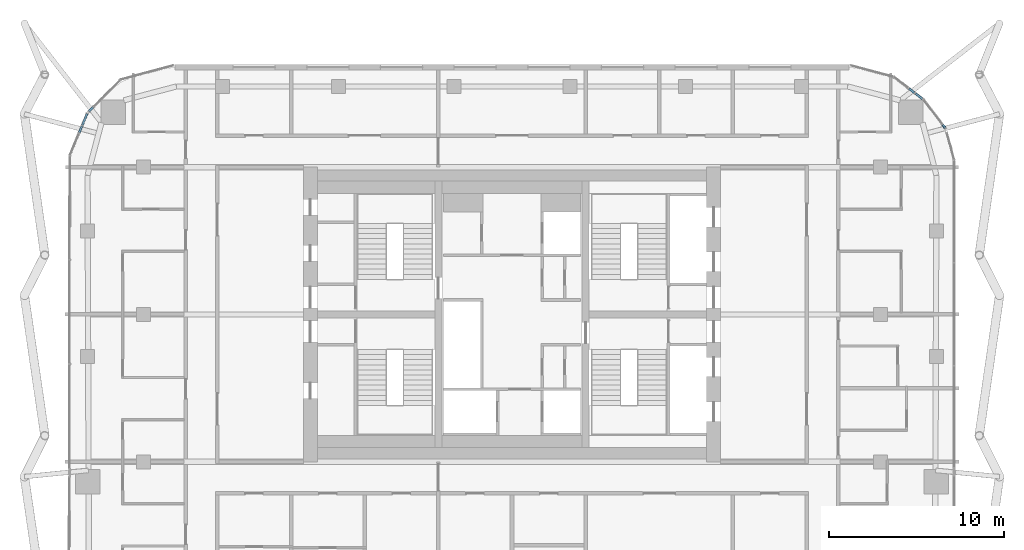
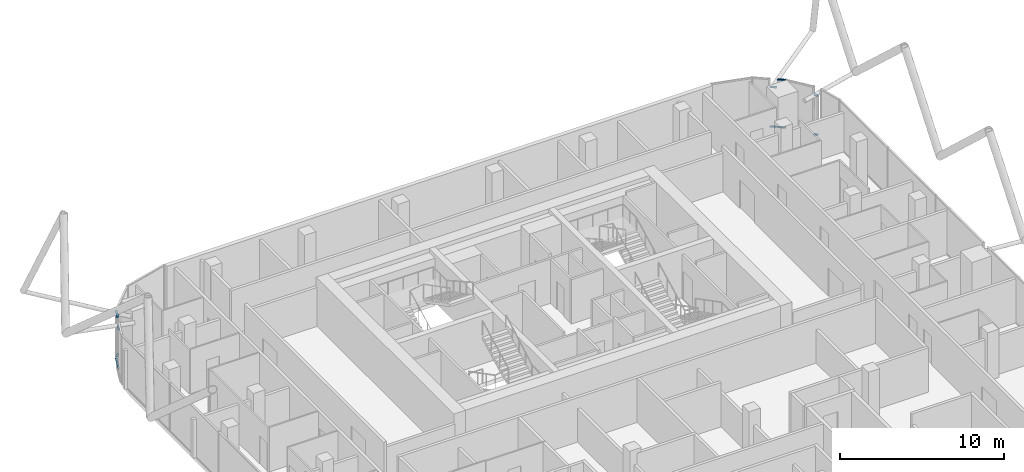
# One storey, part 15 of 33: 12 members, 6 elements without a shape of their own.
"""IFC4 building model written with IfcOpenShell, lengths in metres."""

from ifc_helpers import new_model, si_unit, direction, frame, origin, origin_2d, place, context, subcontext, project, spatial, rectangle, extrude, material, layer, layer_set, material_profile, profile_set, type_object, element, aggregate, save


model = new_model("IFC4")

# Units and contexts
model_context = context("Model", 3, precision=1e-05, world=origin(), true_north=direction((0.0, 1.0)))
body_context = subcontext(model_context, "Body", "Model", "MODEL_VIEW")
ifc_project = project(units=[si_unit("LENGTHUNIT", "METRE"), si_unit("AREAUNIT", "SQUARE_METRE"), si_unit("VOLUMEUNIT", "CUBIC_METRE"), si_unit("PLANEANGLEUNIT", "RADIAN"), si_unit("MASSUNIT", "GRAM", prefix="KILO")], contexts=[model_context])

# Site, building, storey
site_placement = place(None, origin())
site = spatial("IfcSite", under=ifc_project, at=site_placement, CompositionType="ELEMENT")
building_placement = place(site_placement, origin())
building = spatial("IfcBuilding", under=site, at=building_placement, Name="Marenta Gate Hotel Tower", CompositionType="ELEMENT")
storey_placement = place(building_placement, frame((0.0, 0.0, 248.89990234375)))
storey = spatial("IfcBuildingStorey", under=building, at=storey_placement, Name="L59", CompositionType="ELEMENT", Elevation=248.89990234375)

# Curtain wall, members
ifc_material_1 = material(Name="Tinted insulated glass in bronze anodised frame", Category="glass")
ifc_layer = layer(ifc_material_1, 0.1201171875)
ifc_layer_set = layer_set([ifc_layer], Name="Tinted insulated glass in bronze anodised frame")
curtain_wall_type = type_object("IfcCurtainWallType", Name="Tower unitised curtain wall CW1", PredefinedType="NOTDEFINED", material=ifc_layer_set)
curtain_wall_1_placement = place(storey_placement, origin())
curtain_wall_1 = element("IfcCurtainWall", 1, at=curtain_wall_1_placement, inside=storey, type_object=curtain_wall_type, Name="CW1 run G02", PredefinedType="NOTDEFINED")
ifc_material_2 = material(Name="Bronze anodised aluminium", Category="aluminium")
ifc_material_profile = material_profile(ifc_material_2, rectangle(XDim=0.1201171875, YDim=0.06005859375, at=origin_2d()), Name="Transom CW1 60x120 bronze anodised aluminium")
ifc_profile_set = profile_set([ifc_material_profile], Name="Bronze anodised aluminium")
member_type = type_object("IfcMemberType", Name="Transom CW1 60x120 bronze anodised aluminium", PredefinedType="USERDEFINED", material=ifc_profile_set)
member_1_placement = place(storey_placement, frame((-23.884521484375, 20.220458984375, 0.030029296875), z_axis=(-0.707106781187, -0.707106781187, 0.0), x_axis=(0.707106781187, -0.707106781187, 0.0)))
member_1 = element("IfcMember", 2, at=member_1_placement, type_object=member_type, Name="CW1 transom 1.1", ObjectType="TRANSOM", PredefinedType="USERDEFINED", context=body_context, shape_type="SweptSolid", body=[
    extrude(rectangle(XDim=0.1201171875, YDim=0.06005859375, at=origin_2d()), origin(), (0.0, 0.0, 1.0), 0.336669921875),
])
member_2_placement = place(storey_placement, frame((-23.884521484375, 20.220458984375, 2.970703125), z_axis=(-0.707106781187, -0.707106781187, 0.0), x_axis=(0.707106781187, -0.707106781187, 0.0)))
member_2 = element("IfcMember", 3, at=member_2_placement, type_object=member_type, Name="CW1 transom 1.2", ObjectType="TRANSOM", PredefinedType="USERDEFINED", context=body_context, shape_type="SweptSolid", body=[
    extrude(rectangle(XDim=0.1201171875, YDim=0.06005859375, at=origin_2d()), origin(), (0.0, 0.0, 1.0), 0.336669921875),
])
aggregate(curtain_wall_1, [member_1, member_2])

curtain_wall_2_placement = place(storey_placement, origin())
curtain_wall_2 = element("IfcCurtainWall", 4, at=curtain_wall_2_placement, inside=storey, type_object=curtain_wall_type, Name="CW1 run G03", PredefinedType="NOTDEFINED")
member_3_placement = place(storey_placement, frame((-24.2265625, 19.845947265625, 0.030029296875), z_axis=(-0.382706726502, -0.92386988342, 0.0), x_axis=(0.92386988342, -0.382706726502, 0.0)))
member_3 = element("IfcMember", 5, at=member_3_placement, type_object=member_type, Name="CW1 transom 1.1", ObjectType="TRANSOM", PredefinedType="USERDEFINED", context=body_context, shape_type="SweptSolid", body=[
    extrude(rectangle(XDim=0.1201171875, YDim=0.06005859375, at=origin_2d()), origin(), (0.0, 0.0, 1.0), 0.708740234375),
])
member_4_placement = place(storey_placement, frame((-24.2265625, 19.845947265625, 3.570068359375), z_axis=(-0.382706726502, -0.92386988342, 0.0), x_axis=(0.92386988342, -0.382706726502, 0.0)))
member_4 = element("IfcMember", 6, at=member_4_placement, type_object=member_type, Name="CW1 transom 1.2", ObjectType="TRANSOM", PredefinedType="USERDEFINED", context=body_context, shape_type="SweptSolid", body=[
    extrude(rectangle(XDim=0.1201171875, YDim=0.06005859375, at=origin_2d()), origin(), (0.0, 0.0, 1.0), 0.708740234375),
])
aggregate(curtain_wall_2, [member_3, member_4])

curtain_wall_3_placement = place(storey_placement, origin())
curtain_wall_3 = element("IfcCurtainWall", 7, at=curtain_wall_3_placement, inside=storey, type_object=curtain_wall_type, Name="CW1 run G04", PredefinedType="NOTDEFINED")
member_5_placement = place(storey_placement, frame((-24.520751953125, 19.1357421875, 0.030029296875), z_axis=(-0.382912686497, -0.923784539013, 0.0), x_axis=(0.923784539013, -0.382912686497, 0.0)))
member_5 = element("IfcMember", 8, at=member_5_placement, type_object=member_type, Name="CW1 transom 1.1", ObjectType="TRANSOM", PredefinedType="USERDEFINED", context=body_context, shape_type="SweptSolid", body=[
    extrude(rectangle(XDim=0.1201171875, YDim=0.06005859375, at=origin_2d()), origin(), (0.0, 0.0, 1.0), 0.397216796875),
])
member_6_placement = place(storey_placement, frame((-24.520751953125, 19.1357421875, 2.970703125), z_axis=(-0.382912686497, -0.923784539013, 0.0), x_axis=(0.923784539013, -0.382912686497, 0.0)))
member_6 = element("IfcMember", 9, at=member_6_placement, type_object=member_type, Name="CW1 transom 1.2", ObjectType="TRANSOM", PredefinedType="USERDEFINED", context=body_context, shape_type="SweptSolid", body=[
    extrude(rectangle(XDim=0.1201171875, YDim=0.06005859375, at=origin_2d()), origin(), (0.0, 0.0, 1.0), 0.397216796875),
])
aggregate(curtain_wall_3, [member_5, member_6])

curtain_wall_4_placement = place(storey_placement, origin())
curtain_wall_4 = element("IfcCurtainWall", 10, at=curtain_wall_4_placement, inside=storey, type_object=curtain_wall_type, Name="CW1 run G36", PredefinedType="NOTDEFINED")
member_7_placement = place(storey_placement, frame((24.69775390625, 19.030029296875, 0.030029296875), z_axis=(-0.60902605709, 0.793150213885, 0.0), x_axis=(-0.793150213885, -0.60902605709, 0.0)))
member_7 = element("IfcMember", 11, at=member_7_placement, type_object=member_type, Name="CW1 transom 1.1", ObjectType="TRANSOM", PredefinedType="USERDEFINED", context=body_context, shape_type="SweptSolid", body=[
    extrude(rectangle(XDim=0.1201171875, YDim=0.06005859375, at=origin_2d()), origin(), (0.0, 0.0, 1.0), 0.22412109375),
])
member_8_placement = place(storey_placement, frame((24.69775390625, 19.030029296875, 2.970703125), z_axis=(-0.60902605709, 0.793150213885, 0.0), x_axis=(-0.793150213885, -0.60902605709, 0.0)))
member_8 = element("IfcMember", 12, at=member_8_placement, type_object=member_type, Name="CW1 transom 1.2", ObjectType="TRANSOM", PredefinedType="USERDEFINED", context=body_context, shape_type="SweptSolid", body=[
    extrude(rectangle(XDim=0.1201171875, YDim=0.06005859375, at=origin_2d()), origin(), (0.0, 0.0, 1.0), 0.22412109375),
])
aggregate(curtain_wall_4, [member_7, member_8])

curtain_wall_5_placement = place(storey_placement, origin())
curtain_wall_5 = element("IfcCurtainWall", 13, at=curtain_wall_5_placement, inside=storey, type_object=curtain_wall_type, Name="CW1 run G38", PredefinedType="NOTDEFINED")
member_9_placement = place(storey_placement, frame((23.405029296875, 20.689208984375, 0.030029296875), z_axis=(-0.793396206785, 0.608705560233, 0.0), x_axis=(-0.608705560233, -0.793396206785, 0.0)))
member_9 = element("IfcMember", 14, at=member_9_placement, type_object=member_type, Name="CW1 transom 1.1", ObjectType="TRANSOM", PredefinedType="USERDEFINED", context=body_context, shape_type="SweptSolid", body=[
    extrude(rectangle(XDim=0.1201171875, YDim=0.06005859375, at=origin_2d()), origin(), (0.0, 0.0, 1.0), 0.5048828125),
])
member_10_placement = place(storey_placement, frame((23.405029296875, 20.689208984375, 3.570068359375), z_axis=(-0.793396206785, 0.608705560233, 0.0), x_axis=(-0.608705560233, -0.793396206785, 0.0)))
member_10 = element("IfcMember", 15, at=member_10_placement, type_object=member_type, Name="CW1 transom 1.2", ObjectType="TRANSOM", PredefinedType="USERDEFINED", context=body_context, shape_type="SweptSolid", body=[
    extrude(rectangle(XDim=0.1201171875, YDim=0.06005859375, at=origin_2d()), origin(), (0.0, 0.0, 1.0), 0.5048828125),
])
aggregate(curtain_wall_5, [member_9, member_10])

curtain_wall_6_placement = place(storey_placement, origin())
curtain_wall_6 = element("IfcCurtainWall", 16, at=curtain_wall_6_placement, inside=storey, type_object=curtain_wall_type, Name="CW1 run G39", PredefinedType="NOTDEFINED")
member_11_placement = place(storey_placement, frame((22.956787109375, 21.033203125, 0.030029296875), z_axis=(-0.793423480353, 0.608670009796, 0.0), x_axis=(-0.608670009796, -0.793423480353, 0.0)))
member_11 = element("IfcMember", 17, at=member_11_placement, type_object=member_type, Name="CW1 transom 1.1", ObjectType="TRANSOM", PredefinedType="USERDEFINED", context=body_context, shape_type="SweptSolid", body=[
    extrude(rectangle(XDim=0.1201171875, YDim=0.06005859375, at=origin_2d()), origin(), (0.0, 0.0, 1.0), 0.408203125),
])
member_12_placement = place(storey_placement, frame((22.956787109375, 21.033203125, 2.970703125), z_axis=(-0.793423480353, 0.608670009796, 0.0), x_axis=(-0.608670009796, -0.793423480353, 0.0)))
member_12 = element("IfcMember", 18, at=member_12_placement, type_object=member_type, Name="CW1 transom 1.2", ObjectType="TRANSOM", PredefinedType="USERDEFINED", context=body_context, shape_type="SweptSolid", body=[
    extrude(rectangle(XDim=0.1201171875, YDim=0.06005859375, at=origin_2d()), origin(), (0.0, 0.0, 1.0), 0.408203125),
])
aggregate(curtain_wall_6, [member_11, member_12])

save(model, "model.ifc")
